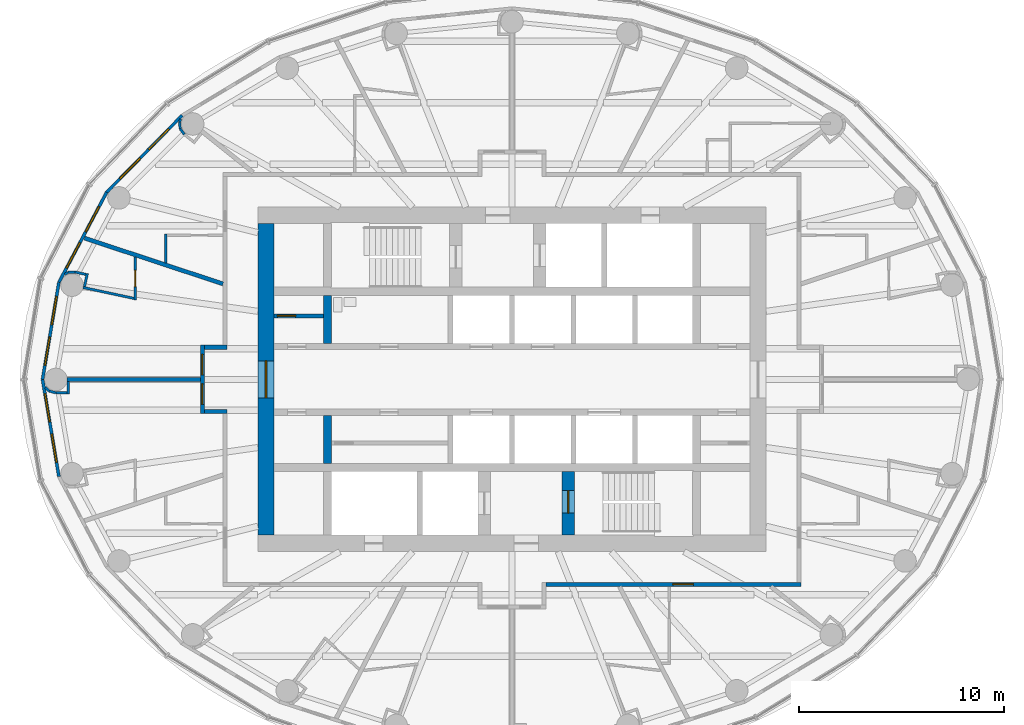
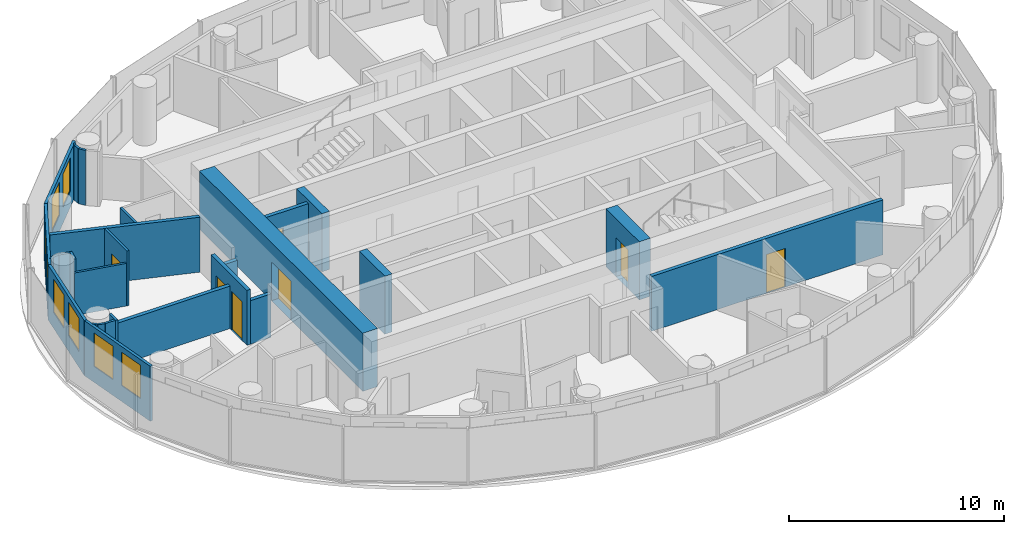
# One storey, part 8 of 16: 29 walls, 8 windows, 7 doors, 15 openings.
"""IFC4 building model written with IfcOpenShell, lengths in metres."""

import ifcopenshell
import ifcopenshell.guid

model = None  # the IFC model being written
_history = None  # IfcOwnerHistory: only IFC2X3 demands one
_inside = {}  # id of a spatial element -> (the spatial element, [elements in it])
_under = {}  # id of a project, library or spatial element -> (it, [spatial elements below it])
_declared = {}  # id of a project -> (the project, [libraries it declares])
_typed = {}  # id of a type object -> (the type object, [elements of that type])
_made_of = {}  # id of a material, layer set ... -> (it, [elements and type objects made of it])


def new_model(schema):
    """Start an empty IFC model of exactly this schema.

    Asked for "IFC4X3", IfcOpenShell would pick the latest addendum, in which some entities
    have other attributes; the version numbers below select the first issue.
    IFC2X3 requires an IfcOwnerHistory on every rooted entity: one is made here for all.
    """
    global model, _history
    if schema == "IFC4X3":
        model = ifcopenshell.file(schema_version=(4, 3, 0, 0))
    else:
        model = ifcopenshell.file(schema=schema)
    _inside.clear()
    _under.clear()
    _declared.clear()
    _typed.clear()
    _made_of.clear()
    _history = None
    if model.schema == "IFC2X3":
        org = make("IfcOrganization", Name="unknown")
        user = make(
            "IfcPersonAndOrganization",
            ThePerson=make("IfcPerson", FamilyName="unknown"),
            TheOrganization=org,
        )
        app = make(
            "IfcApplication",
            ApplicationDeveloper=org,
            Version="unknown",
            ApplicationFullName="unknown",
            ApplicationIdentifier="unknown",
        )
        _history = make(
            "IfcOwnerHistory",
            OwningUser=user,
            OwningApplication=app,
            ChangeAction="ADDED",
            CreationDate=0,
        )
    return model


def make(cls, **values):
    """One entity of the class cls with the attributes given. An attribute that is None is left unset."""
    return model.create_entity(
        cls, **{name: value for name, value in values.items() if value is not None}
    )


def rooted(cls, **values):
    """An entity with a GlobalId (a new one), such as an element, a storey or a relation."""
    return make(cls, GlobalId=ifcopenshell.guid.new(), OwnerHistory=_history, **values)


def si_unit(unit_type, name, prefix=None):
    """IfcSIUnit, for example si_unit("LENGTHUNIT", "METRE", prefix="MILLI")."""
    return make("IfcSIUnit", UnitType=unit_type, Prefix=prefix, Name=name)


def assignment(units):
    """IfcUnitAssignment: the units of a project."""
    return None if units is None else make("IfcUnitAssignment", Units=units)


def point(xyz):
    """IfcCartesianPoint."""
    return None if xyz is None else make("IfcCartesianPoint", Coordinates=xyz)


def direction(xyz):
    """IfcDirection."""
    return None if xyz is None else make("IfcDirection", DirectionRatios=xyz)


def frame(location, z_axis=None, x_axis=None):
    """IfcAxis2Placement3D, a coordinate frame: its origin and axes. An axis left out is left unset."""
    return make(
        "IfcAxis2Placement3D",
        Location=point(location),
        Axis=direction(z_axis),
        RefDirection=direction(x_axis),
    )


def frame_2d(location, x_axis=None):
    """IfcAxis2Placement2D, a coordinate frame in the plane: its origin and x axis."""
    return make(
        "IfcAxis2Placement2D", Location=point(location), RefDirection=direction(x_axis)
    )


def origin():
    """The frame at (0, 0, 0) with its axes left unset."""
    return frame((0.0, 0.0, 0.0))


def place(relative_to, where):
    """IfcLocalPlacement: puts the frame where relative to a parent placement (None: the world)."""
    return make(
        "IfcLocalPlacement", PlacementRelTo=relative_to, RelativePlacement=where
    )


def context(
    kind, dimensions, precision=None, world=None, true_north=None, identifier=None
):
    """IfcGeometricRepresentationContext, for example the 3D "Model" context."""
    return make(
        "IfcGeometricRepresentationContext",
        ContextIdentifier=identifier,
        ContextType=kind,
        CoordinateSpaceDimension=dimensions,
        Precision=precision,
        WorldCoordinateSystem=world,
        TrueNorth=true_north,
    )


def subcontext(parent, identifier, kind, view, scale=None):
    """IfcGeometricRepresentationSubContext, for example "Body" below "Model"."""
    return make(
        "IfcGeometricRepresentationSubContext",
        ContextIdentifier=identifier,
        ContextType=kind,
        ParentContext=parent,
        TargetScale=scale,
        TargetView=view,
    )


def project(units=None, contexts=None):
    """IfcProject with its units and contexts."""
    return rooted(
        "IfcProject",
        Name="project",
        RepresentationContexts=contexts,
        UnitsInContext=assignment(units),
    )


def spatial(cls, under=None, at=None, **own):
    """A site, building, storey or space (cls), placed at a placement, below another one or the project."""
    s = rooted(cls, ObjectPlacement=at, **own)
    if under is not None:
        _under.setdefault(under.id(), (under, []))[1].append(s)
    return s


def profile(cls, at=None, kind="AREA", **sizes):
    """A parametric profile (cls). Its sizes go by their IFC names, for example OverallWidth=200.0."""
    return make(cls, ProfileType=kind, Position=at, **sizes)


def rectangle(**sizes):
    """IfcRectangleProfileDef."""
    return profile("IfcRectangleProfileDef", **sizes)


def extrude(swept, where, along, depth):
    """IfcExtrudedAreaSolid: the profile swept, set in the frame where, extruded along a direction by depth."""
    return make(
        "IfcExtrudedAreaSolid",
        SweptArea=swept,
        Position=where,
        ExtrudedDirection=direction(along),
        Depth=depth,
    )


def shape(context_of_items, identifier, shape_type, items):
    """IfcShapeRepresentation: the items that make up one representation, for example the "Body"."""
    return make(
        "IfcShapeRepresentation",
        ContextOfItems=context_of_items,
        RepresentationIdentifier=identifier,
        RepresentationType=shape_type,
        Items=items,
    )


def material(Name=None, Category=None):
    """IfcMaterial."""
    return make("IfcMaterial", Name=Name, Category=Category)


def layer(
    of_material, thickness, ventilated=None, Name=None, Category=None, Priority=None
):
    """IfcMaterialLayer: one layer of a wall or slab, of a material (None: an air gap)."""
    return make(
        "IfcMaterialLayer",
        Material=of_material,
        LayerThickness=thickness,
        IsVentilated=ventilated,
        Name=Name,
        Category=Category,
        Priority=Priority,
    )


def layer_set(layers, Name=None):
    """IfcMaterialLayerSet."""
    return make("IfcMaterialLayerSet", MaterialLayers=layers, LayerSetName=Name)


def made_of(thing, what):
    """Note that an element or type object is made of a material, layer set ...; save() writes the relation."""
    if what is not None:
        _made_of.setdefault(what.id(), (what, []))[1].append(thing)
    return thing


def type_object(cls, material=None, **own):
    """A type object (cls), such as IfcWallType, which elements share."""
    return made_of(rooted(cls, **own), material)


def element(
    cls,
    number,
    at=None,
    inside=None,
    cuts=None,
    type_object=None,
    material=None,
    context=None,
    identifier="Body",
    shape_type=None,
    held_by="IfcProductDefinitionShape",
    body=None,
    shapes=None,
    **own,
):
    """One element of the class cls, such as IfcWall. Its Tag is "e" and its number.

    at: its placement. inside: the storey or other place that contains it. cuts: it is an
    opening in that element (IfcRelVoidsElement). A single representation is given by context,
    identifier, shape_type and body (its items); several are given by shapes. held_by: the class
    of the entity that holds the representations. save() writes the other relations.
    """
    e = rooted(cls, Tag="e%d" % number, ObjectPlacement=at, **own)
    if body is not None:
        shapes = [shape(context, identifier, shape_type, body)]
    if shapes is not None:
        e.Representation = make(held_by, Representations=shapes)
    if inside is not None:
        _inside.setdefault(inside.id(), (inside, []))[1].append(e)
    if cuts is not None:
        rooted(
            "IfcRelVoidsElement", RelatingBuildingElement=cuts, RelatedOpeningElement=e
        )
    if type_object is not None:
        _typed.setdefault(type_object.id(), (type_object, []))[1].append(e)
    return made_of(e, material)


def fill(opening, filler):
    """IfcRelFillsElement: the door or window that sits in an opening."""
    return rooted(
        "IfcRelFillsElement",
        RelatingOpeningElement=opening,
        RelatedBuildingElement=filler,
    )


def aggregate(whole, parts):
    """IfcRelAggregates: a whole, such as a stair, and the parts it consists of."""
    return rooted("IfcRelAggregates", RelatingObject=whole, RelatedObjects=parts)


def save(model, path):
    """Write the relations noted so far, then the file.

    IfcRelAggregates (storeys below a building ...), IfcRelContainedInSpatialStructure (elements
    in a storey), IfcRelDefinesByType, IfcRelAssociatesMaterial and IfcRelDeclares: one each for
    every whole, place, type object, material and project.
    """
    for whole, parts in _under.values():
        aggregate(whole, parts)
    for where, things in _inside.values():
        rooted(
            "IfcRelContainedInSpatialStructure",
            RelatedElements=things,
            RelatingStructure=where,
        )
    for kind, things in _typed.values():
        rooted("IfcRelDefinesByType", RelatedObjects=things, RelatingType=kind)
    for what, things in _made_of.values():
        rooted("IfcRelAssociatesMaterial", RelatedObjects=things, RelatingMaterial=what)
    for by, libraries in _declared.values():
        rooted("IfcRelDeclares", RelatingContext=by, RelatedDefinitions=libraries)
    model.write(path)


model = new_model("IFC4")

# Units and contexts
model_context = context("Model", 3, precision=1e-05, world=origin(), true_north=direction((0.0, 1.0)))
body_context = subcontext(model_context, "Body", "Model", "MODEL_VIEW")
ifc_project = project(units=[si_unit("LENGTHUNIT", "METRE"), si_unit("AREAUNIT", "SQUARE_METRE"), si_unit("VOLUMEUNIT", "CUBIC_METRE"), si_unit("PLANEANGLEUNIT", "RADIAN"), si_unit("MASSUNIT", "GRAM", prefix="KILO")], contexts=[model_context])

# Site, building, storey
site_placement = place(None, origin())
site = spatial("IfcSite", under=ifc_project, at=site_placement, CompositionType="ELEMENT")
building_placement = place(site_placement, origin())
building = spatial("IfcBuilding", under=site, at=building_placement, Name="Hankou Lantern Tower", CompositionType="ELEMENT")
storey_placement = place(building_placement, frame((0.0, 0.0, 146.699951171875)))
storey = spatial("IfcBuildingStorey", under=building, at=storey_placement, Name="L38", CompositionType="ELEMENT", Elevation=146.699951171875)

# Wall, opening, door
ifc_material_1 = material(Name="Concrete C60", Category="concrete")
ifc_layer_1 = layer(ifc_material_1, 0.800048828125)
ifc_layer_set_1 = layer_set([ifc_layer_1], Name="Concrete C60")
wall_type_1 = type_object("IfcWallType", Name="CW2 CORE WALL 800", PredefinedType="SHEAR", material=ifc_layer_set_1)
wall_1_placement = place(storey_placement, frame((-12.0, 7.60009765625, 0.0), z_axis=(0.0, 0.0, 1.0), x_axis=(0.0, -1.0, 0.0)))
wall_1 = element("IfcWall", 1, at=wall_1_placement, inside=storey, type_object=wall_type_1, Name="Core wall west L38", PredefinedType="SHEAR", context=body_context, shape_type="SweptSolid", body=[
    extrude(rectangle(XDim=15.2001953125, YDim=0.800048828125, at=frame_2d((7.60009765625, 0.0))), origin(), (0.0, 0.0, 1.0), 3.300048828125),
])
opening_1_placement = place(wall_1_placement, frame((6.699951171875, 0.0, 0.0)))
opening_1 = element("IfcOpeningElement", 2, at=opening_1_placement, cuts=wall_1, Name="Opening D6", PredefinedType="OPENING", context=body_context, shape_type="SweptSolid", body=[
    extrude(rectangle(XDim=1.800048828125, YDim=2.199951171875, at=frame_2d((0.89990234375, 1.10009765625))), frame((0.0, 0.409912109375, 0.0), z_axis=(0.0, -1.0, 0.0), x_axis=(1.0, 0.0, 0.0)), (0.0, 0.0, 1.0), 0.820068359375),
])
ifc_material_2 = material(Name="Steel door leaf", Category="steel")
door_type_1 = type_object("IfcDoorType", Name="D6 LIFT LOBBY DOOR 1800X2200", OperationType="DOUBLE_DOOR_DOUBLE_SWING", PredefinedType="DOOR", material=ifc_material_2)
door_1_placement = place(opening_1_placement, origin())
door_1 = element("IfcDoor", 3, at=door_1_placement, inside=storey, type_object=door_type_1, Name="Lift lobby west door", OperationType="DOUBLE_DOOR_DOUBLE_SWING", OverallHeight=2.199951171875, OverallWidth=1.800048828125, PredefinedType="DOOR", context=body_context, shape_type="SweptSolid", body=[
    extrude(rectangle(XDim=1.800048828125, YDim=2.199951171875, at=frame_2d((0.89990234375, 1.10009765625))), frame((0.0, 0.02490234375, 0.0), z_axis=(0.0, -1.0, 0.0), x_axis=(1.0, 0.0, 0.0)), (0.0, 0.0, 1.0), 0.050048828125),
])
fill(opening_1, door_1)

# Walls
ifc_material_3 = material(Name="Concrete C60", Category="concrete")
ifc_layer_2 = layer(ifc_material_3, 0.39990234375)
ifc_layer_set_2 = layer_set([ifc_layer_2], Name="Concrete C60")
wall_type_2 = type_object("IfcWallType", Name="CW4 CORE CROSS WALL 400", PredefinedType="SHEAR", material=ifc_layer_set_2)
for number, where, z_axis, x_axis, name in (
    (4, (-9.0, 1.75, 0.0), (0.0, 0.0, 1.0), (0.0, 1.0, 0.0), "Core strip wall L38"),
    (5, (-9.0, -4.10009765625, 0.0), (0.0, 0.0, 1.0), (0.0, 1.0, 0.0), "Core strip wall L38"),
):
    element("IfcWall", number, at=place(storey_placement, frame(where, z_axis=z_axis, x_axis=x_axis)), inside=storey, type_object=wall_type_2, Name=name, PredefinedType="SHEAR", context=body_context, shape_type="SweptSolid", body=[
        extrude(rectangle(XDim=2.35009765625, YDim=0.39990234375, at=frame_2d((1.175048828125, 0.0))), origin(), (0.0, 0.0, 1.0), 3.300048828125),
    ])

# Wall, opening, door
ifc_material_4 = material(Name="Concrete C60", Category="concrete")
ifc_layer_3 = layer(ifc_material_4, 0.60009765625)
ifc_layer_set_3 = layer_set([ifc_layer_3], Name="Concrete C60")
wall_type_3 = type_object("IfcWallType", Name="CW6 STAIR AND SHAFT WALL 600", PredefinedType="SHEAR", material=ifc_layer_set_3)
wall_2_placement = place(storey_placement, frame((2.75, -7.60009765625, 0.0), z_axis=(0.0, 0.0, 1.0), x_axis=(0.0, 1.0, 0.0)))
wall_2 = element("IfcWall", 6, at=wall_2_placement, inside=storey, type_object=wall_type_3, Name="Stair wall L38", PredefinedType="SHEAR", context=body_context, shape_type="SweptSolid", body=[
    extrude(rectangle(XDim=3.10009765625, YDim=0.60009765625, at=frame_2d((1.550048828125, 0.0))), origin(), (0.0, 0.0, 1.0), 3.300048828125),
])
opening_2_placement = place(wall_2_placement, frame((1.074951171875, 0.0, 0.0)))
opening_2 = element("IfcOpeningElement", 7, at=opening_2_placement, cuts=wall_2, Name="Opening D4", PredefinedType="OPENING", context=body_context, shape_type="SweptSolid", body=[
    extrude(rectangle(XDim=1.10009765625, YDim=2.199951171875, at=frame_2d((0.550048828125, 1.10009765625))), frame((0.0, 0.31005859375, 0.0), z_axis=(0.0, -1.0, 0.0), x_axis=(1.0, 0.0, 0.0)), (0.0, 0.0, 1.0), 0.6201171875),
])
ifc_material_5 = material(Name="Steel door leaf", Category="steel")
door_type_2 = type_object("IfcDoorType", Name="D4 STAIR DOOR 1100X2200", OperationType="SINGLE_SWING_LEFT", PredefinedType="DOOR", material=ifc_material_5)
door_2_placement = place(opening_2_placement, origin())
door_2 = element("IfcDoor", 8, at=door_2_placement, inside=storey, type_object=door_type_2, Name="Stair B door", OperationType="SINGLE_SWING_RIGHT", OverallHeight=2.199951171875, OverallWidth=1.10009765625, PredefinedType="DOOR", context=body_context, shape_type="SweptSolid", body=[
    extrude(rectangle(XDim=1.10009765625, YDim=2.199951171875, at=frame_2d((0.550048828125, 1.10009765625))), frame((0.0, 0.02490234375, 0.0), z_axis=(0.0, -1.0, 0.0), x_axis=(1.0, 0.0, 0.0)), (0.0, 0.0, 1.0), 0.050048828125),
])
fill(opening_2, door_2)

# Wall, openings, windows
ifc_material_6 = material(Name="Aluminium spandrel panel on steel studs", Category="steel")
ifc_layer_4 = layer(ifc_material_6, 0.14990234375)
ifc_layer_set_4 = layer_set([ifc_layer_4], Name="Aluminium spandrel panel on steel studs")
wall_type_4 = type_object("IfcWallType", Name="EW1 INNER SKIN WALL 150", PredefinedType="ELEMENTEDWALL", material=ifc_layer_set_4)
wall_3_placement = place(storey_placement, frame((-16.0947265625, 12.875732421875, 0.0), z_axis=(0.0, 0.0, 1.0), x_axis=(-0.700727467776, -0.71342905457, 0.0)))
wall_3 = element("IfcWall", 9, at=wall_3_placement, inside=storey, type_object=wall_type_4, Name="Inner skin R10-R11 L38", PredefinedType="ELEMENTEDWALL", context=body_context, shape_type="SweptSolid", body=[
    extrude(rectangle(XDim=5.247314453125, YDim=0.14990234375, at=frame_2d((2.62353515625, 0.0))), origin(), (0.0, 0.0, 1.0), 3.1201171875),
])
opening_3_placement = place(wall_3_placement, frame((0.923583984375, 0.0, 0.89990234375)))
opening_3 = element("IfcOpeningElement", 10, at=opening_3_placement, cuts=wall_3, Name="Opening W3", PredefinedType="OPENING", context=body_context, shape_type="SweptSolid", body=[
    extrude(rectangle(XDim=1.39990234375, YDim=1.89990234375, at=frame_2d((0.699951171875, 0.949951171875))), frame((0.0, 0.0849609375, 0.0), z_axis=(0.0, -1.0, 0.0), x_axis=(1.0, 0.0, 0.0)), (0.0, 0.0, 1.0), 0.169921875),
])
opening_4_placement = place(wall_3_placement, frame((2.923583984375, 0.0, 0.89990234375)))
opening_4 = element("IfcOpeningElement", 11, at=opening_4_placement, cuts=wall_3, Name="Opening W3", PredefinedType="OPENING", context=body_context, shape_type="SweptSolid", body=[
    extrude(rectangle(XDim=1.39990234375, YDim=1.89990234375, at=frame_2d((0.699951171875, 0.949951171875))), frame((0.0, 0.0849609375, 0.0), z_axis=(0.0, -1.0, 0.0), x_axis=(1.0, 0.0, 0.0)), (0.0, 0.0, 1.0), 0.169921875),
])
ifc_material_7 = material(Name="Aluminium framed double glazed window", Category="aluminium")
window_type = type_object("IfcWindowType", Name="W3 GUEST ROOM WINDOW 1400X1900", PartitioningType="DOUBLE_PANEL_VERTICAL", PredefinedType="WINDOW", material=ifc_material_7)
window_1_placement = place(opening_3_placement, origin())
window_1 = element("IfcWindow", 12, at=window_1_placement, inside=storey, type_object=window_type, Name="Window R10.1 L38", OverallHeight=1.89990234375, OverallWidth=1.39990234375, PartitioningType="SINGLE_PANEL", PredefinedType="WINDOW", context=body_context, shape_type="SweptSolid", body=[
    extrude(rectangle(XDim=1.39990234375, YDim=1.89990234375, at=frame_2d((0.699951171875, 0.949951171875))), frame((0.0, 0.030029296875, 0.0), z_axis=(0.0, -1.0, 0.0), x_axis=(1.0, 0.0, 0.0)), (0.0, 0.0, 1.0), 0.06005859375),
])
fill(opening_3, window_1)
window_2_placement = place(opening_4_placement, origin())
window_2 = element("IfcWindow", 13, at=window_2_placement, inside=storey, type_object=window_type, Name="Window R10.2 L38", OverallHeight=1.89990234375, OverallWidth=1.39990234375, PartitioningType="SINGLE_PANEL", PredefinedType="WINDOW", context=body_context, shape_type="SweptSolid", body=[
    extrude(rectangle(XDim=1.39990234375, YDim=1.89990234375, at=frame_2d((0.699951171875, 0.949951171875))), frame((0.0, 0.030029296875, 0.0), z_axis=(0.0, -1.0, 0.0), x_axis=(1.0, 0.0, 0.0)), (0.0, 0.0, 1.0), 0.06005859375),
])
fill(opening_4, window_2)

wall_4_placement = place(storey_placement, frame((-19.771728515625, 9.132080078125, 0.0), z_axis=(0.0, 0.0, 1.0), x_axis=(-0.468428906714, -0.883501193748, 0.0)))
wall_4 = element("IfcWall", 14, at=wall_4_placement, inside=storey, type_object=wall_type_4, Name="Inner skin R11-R12 L38", PredefinedType="ELEMENTEDWALL", context=body_context, shape_type="SweptSolid", body=[
    extrude(rectangle(XDim=4.9736328125, YDim=0.14990234375, at=frame_2d((2.48681640625, 0.0))), origin(), (0.0, 0.0, 1.0), 3.1201171875),
])
opening_5_placement = place(wall_4_placement, frame((0.786865234375, 0.0, 0.89990234375)))
opening_5 = element("IfcOpeningElement", 15, at=opening_5_placement, cuts=wall_4, Name="Opening W3", PredefinedType="OPENING", context=body_context, shape_type="SweptSolid", body=[
    extrude(rectangle(XDim=1.39990234375, YDim=1.89990234375, at=frame_2d((0.699951171875, 0.949951171875))), frame((0.0, 0.0849609375, 0.0), z_axis=(0.0, -1.0, 0.0), x_axis=(1.0, 0.0, 0.0)), (0.0, 0.0, 1.0), 0.169921875),
])
opening_6_placement = place(wall_4_placement, frame((2.786865234375, 0.0, 0.89990234375)))
opening_6 = element("IfcOpeningElement", 16, at=opening_6_placement, cuts=wall_4, Name="Opening W3", PredefinedType="OPENING", context=body_context, shape_type="SweptSolid", body=[
    extrude(rectangle(XDim=1.39990234375, YDim=1.89990234375, at=frame_2d((0.699951171875, 0.949951171875))), frame((0.0, 0.0849609375, 0.0), z_axis=(0.0, -1.0, 0.0), x_axis=(1.0, 0.0, 0.0)), (0.0, 0.0, 1.0), 0.169921875),
])
window_3_placement = place(opening_5_placement, origin())
window_3 = element("IfcWindow", 17, at=window_3_placement, inside=storey, type_object=window_type, Name="Window R11.1 L38", OverallHeight=1.89990234375, OverallWidth=1.39990234375, PartitioningType="SINGLE_PANEL", PredefinedType="WINDOW", context=body_context, shape_type="SweptSolid", body=[
    extrude(rectangle(XDim=1.39990234375, YDim=1.89990234375, at=frame_2d((0.699951171875, 0.949951171875))), frame((0.0, 0.030029296875, 0.0), z_axis=(0.0, -1.0, 0.0), x_axis=(1.0, 0.0, 0.0)), (0.0, 0.0, 1.0), 0.06005859375),
])
fill(opening_5, window_3)
window_4_placement = place(opening_6_placement, origin())
window_4 = element("IfcWindow", 18, at=window_4_placement, inside=storey, type_object=window_type, Name="Window R11.2 L38", OverallHeight=1.89990234375, OverallWidth=1.39990234375, PartitioningType="SINGLE_PANEL", PredefinedType="WINDOW", context=body_context, shape_type="SweptSolid", body=[
    extrude(rectangle(XDim=1.39990234375, YDim=1.89990234375, at=frame_2d((0.699951171875, 0.949951171875))), frame((0.0, 0.030029296875, 0.0), z_axis=(0.0, -1.0, 0.0), x_axis=(1.0, 0.0, 0.0)), (0.0, 0.0, 1.0), 0.06005859375),
])
fill(opening_6, window_4)

wall_5_placement = place(storey_placement, frame((-22.1015625, 4.73779296875, 0.0), z_axis=(0.0, 0.0, 1.0), x_axis=(-0.166162111254, -0.986098449843, 0.0)))
wall_5 = element("IfcWall", 19, at=wall_5_placement, inside=storey, type_object=wall_type_4, Name="Inner skin R12-R13 L38", PredefinedType="ELEMENTEDWALL", context=body_context, shape_type="SweptSolid", body=[
    extrude(rectangle(XDim=4.8046875, YDim=0.14990234375, at=frame_2d((2.40234375, 0.0))), origin(), (0.0, 0.0, 1.0), 3.1201171875),
])
opening_7_placement = place(wall_5_placement, frame((0.7021484375, 0.0, 0.89990234375)))
opening_7 = element("IfcOpeningElement", 20, at=opening_7_placement, cuts=wall_5, Name="Opening W3", PredefinedType="OPENING", context=body_context, shape_type="SweptSolid", body=[
    extrude(rectangle(XDim=1.39990234375, YDim=1.89990234375, at=frame_2d((0.699951171875, 0.949951171875))), frame((0.0, 0.0849609375, 0.0), z_axis=(0.0, -1.0, 0.0), x_axis=(1.0, 0.0, 0.0)), (0.0, 0.0, 1.0), 0.169921875),
])
opening_8_placement = place(wall_5_placement, frame((2.7021484375, 0.0, 0.89990234375)))
opening_8 = element("IfcOpeningElement", 21, at=opening_8_placement, cuts=wall_5, Name="Opening W3", PredefinedType="OPENING", context=body_context, shape_type="SweptSolid", body=[
    extrude(rectangle(XDim=1.39990234375, YDim=1.89990234375, at=frame_2d((0.699951171875, 0.949951171875))), frame((0.0, 0.0849609375, 0.0), z_axis=(0.0, -1.0, 0.0), x_axis=(1.0, 0.0, 0.0)), (0.0, 0.0, 1.0), 0.169921875),
])
window_5_placement = place(opening_7_placement, origin())
window_5 = element("IfcWindow", 22, at=window_5_placement, inside=storey, type_object=window_type, Name="Window R12.1 L38", OverallHeight=1.89990234375, OverallWidth=1.39990234375, PartitioningType="SINGLE_PANEL", PredefinedType="WINDOW", context=body_context, shape_type="SweptSolid", body=[
    extrude(rectangle(XDim=1.39990234375, YDim=1.89990234375, at=frame_2d((0.699951171875, 0.949951171875))), frame((0.0, 0.030029296875, 0.0), z_axis=(0.0, -1.0, 0.0), x_axis=(1.0, 0.0, 0.0)), (0.0, 0.0, 1.0), 0.06005859375),
])
fill(opening_7, window_5)
window_6_placement = place(opening_8_placement, origin())
window_6 = element("IfcWindow", 23, at=window_6_placement, inside=storey, type_object=window_type, Name="Window R12.2 L38", OverallHeight=1.89990234375, OverallWidth=1.39990234375, PartitioningType="SINGLE_PANEL", PredefinedType="WINDOW", context=body_context, shape_type="SweptSolid", body=[
    extrude(rectangle(XDim=1.39990234375, YDim=1.89990234375, at=frame_2d((0.699951171875, 0.949951171875))), frame((0.0, 0.030029296875, 0.0), z_axis=(0.0, -1.0, 0.0), x_axis=(1.0, 0.0, 0.0)), (0.0, 0.0, 1.0), 0.06005859375),
])
fill(opening_8, window_6)

wall_6_placement = place(storey_placement, frame((-22.89990234375, 0.0, 0.0), z_axis=(0.0, 0.0, 1.0), x_axis=(0.166162111254, -0.986098449843, 0.0)))
wall_6 = element("IfcWall", 24, at=wall_6_placement, inside=storey, type_object=wall_type_4, Name="Inner skin R13-R14 L38", PredefinedType="ELEMENTEDWALL", context=body_context, shape_type="SweptSolid", body=[
    extrude(rectangle(XDim=4.8046875, YDim=0.14990234375, at=frame_2d((2.40234375, 0.0))), origin(), (0.0, 0.0, 1.0), 3.1201171875),
])
opening_9_placement = place(wall_6_placement, frame((0.7021484375, 0.0, 0.89990234375)))
opening_9 = element("IfcOpeningElement", 25, at=opening_9_placement, cuts=wall_6, Name="Opening W3", PredefinedType="OPENING", context=body_context, shape_type="SweptSolid", body=[
    extrude(rectangle(XDim=1.39990234375, YDim=1.89990234375, at=frame_2d((0.699951171875, 0.949951171875))), frame((0.0, 0.0849609375, 0.0), z_axis=(0.0, -1.0, 0.0), x_axis=(1.0, 0.0, 0.0)), (0.0, 0.0, 1.0), 0.169921875),
])
opening_10_placement = place(wall_6_placement, frame((2.7021484375, 0.0, 0.89990234375)))
opening_10 = element("IfcOpeningElement", 26, at=opening_10_placement, cuts=wall_6, Name="Opening W3", PredefinedType="OPENING", context=body_context, shape_type="SweptSolid", body=[
    extrude(rectangle(XDim=1.39990234375, YDim=1.89990234375, at=frame_2d((0.699951171875, 0.949951171875))), frame((0.0, 0.0849609375, 0.0), z_axis=(0.0, -1.0, 0.0), x_axis=(1.0, 0.0, 0.0)), (0.0, 0.0, 1.0), 0.169921875),
])
window_7_placement = place(opening_9_placement, origin())
window_7 = element("IfcWindow", 27, at=window_7_placement, inside=storey, type_object=window_type, Name="Window R13.1 L38", OverallHeight=1.89990234375, OverallWidth=1.39990234375, PartitioningType="SINGLE_PANEL", PredefinedType="WINDOW", context=body_context, shape_type="SweptSolid", body=[
    extrude(rectangle(XDim=1.39990234375, YDim=1.89990234375, at=frame_2d((0.699951171875, 0.949951171875))), frame((0.0, 0.030029296875, 0.0), z_axis=(0.0, -1.0, 0.0), x_axis=(1.0, 0.0, 0.0)), (0.0, 0.0, 1.0), 0.06005859375),
])
fill(opening_9, window_7)
window_8_placement = place(opening_10_placement, origin())
window_8 = element("IfcWindow", 28, at=window_8_placement, inside=storey, type_object=window_type, Name="Window R13.2 L38", OverallHeight=1.89990234375, OverallWidth=1.39990234375, PartitioningType="SINGLE_PANEL", PredefinedType="WINDOW", context=body_context, shape_type="SweptSolid", body=[
    extrude(rectangle(XDim=1.39990234375, YDim=1.89990234375, at=frame_2d((0.699951171875, 0.949951171875))), frame((0.0, 0.030029296875, 0.0), z_axis=(0.0, -1.0, 0.0), x_axis=(1.0, 0.0, 0.0)), (0.0, 0.0, 1.0), 0.06005859375),
])
fill(opening_10, window_8)

# Walls
ifc_material_8 = material(Name="Masonry lightweight concrete block", Category="masonry")
ifc_layer_5 = layer(ifc_material_8, 0.199951171875)
ifc_layer_set_5 = layer_set([ifc_layer_5], Name="Masonry lightweight concrete block")
wall_type_5 = type_object("IfcWallType", Name="IW1 GUEST ROOM PARTY WALL 200", PredefinedType="PARTITIONING", material=ifc_layer_set_5)
wall_7_placement = place(storey_placement, frame((-14.10009765625, 4.661376953125, 0.0), z_axis=(0.0, 0.0, 1.0), x_axis=(-0.949453216399, 0.313908569285, 0.0)))
element("IfcWall", 29, at=wall_7_placement, inside=storey, type_object=wall_type_5, Name="Party wall R11-R12", PredefinedType="PARTITIONING", context=body_context, shape_type="SweptSolid", body=[
    extrude(rectangle(XDim=7.108642578125, YDim=0.199951171875, at=frame_2d((3.55419921875, 0.0))), origin(), (0.0, 0.0, 1.0), 3.1201171875),
])
wall_8_placement = place(storey_placement, frame((-15.199951171875, 0.0, 0.0), z_axis=(0.0, 0.0, 1.0), x_axis=(-1.0, 0.0, 0.0)))
element("IfcWall", 30, at=wall_8_placement, inside=storey, type_object=wall_type_5, Name="Party wall R13", PredefinedType="PARTITIONING", context=body_context, shape_type="SweptSolid", body=[
    extrude(rectangle(XDim=6.5, YDim=0.199951171875, at=frame_2d((3.25, 0.0))), origin(), (0.0, 0.0, 1.0), 2.420166015625),
])

# Wall, openings, doors
ifc_material_9 = material(Name="Masonry lightweight concrete block", Category="masonry")
ifc_layer_6 = layer(ifc_material_9, 0.199951171875)
ifc_layer_set_6 = layer_set([ifc_layer_6], Name="Masonry lightweight concrete block")
wall_type_6 = type_object("IfcWallType", Name="IW2 CORRIDOR WALL 200", PredefinedType="PARTITIONING", material=ifc_layer_set_6)
wall_9_placement = place(storey_placement, frame((-15.10009765625, 1.669921875, 0.0), z_axis=(0.0, 0.0, 1.0), x_axis=(0.0, -1.0, 0.0)))
wall_9 = element("IfcWall", 31, at=wall_9_placement, inside=storey, type_object=wall_type_6, Name="Corridor alcove wall 3807-3808 back", PredefinedType="PARTITIONING", context=body_context, shape_type="SweptSolid", body=[
    extrude(rectangle(XDim=3.33984375, YDim=0.199951171875, at=frame_2d((1.669921875, 0.0))), origin(), (0.0, 0.0, 1.0), 3.1201171875),
])
opening_11_placement = place(wall_9_placement, frame((0.449951171875, 0.0, 0.0)))
opening_11 = element("IfcOpeningElement", 32, at=opening_11_placement, cuts=wall_9, Name="Opening D1", PredefinedType="OPENING", context=body_context, shape_type="SweptSolid", body=[
    extrude(rectangle(XDim=1.0, YDim=2.199951171875, at=frame_2d((0.5, 1.10009765625))), frame((0.0, 0.10986328125, 0.0), z_axis=(0.0, -1.0, 0.0), x_axis=(1.0, 0.0, 0.0)), (0.0, 0.0, 1.0), 0.219970703125),
])
opening_12_placement = place(wall_9_placement, frame((1.889892578125, 0.0, 0.0)))
opening_12 = element("IfcOpeningElement", 33, at=opening_12_placement, cuts=wall_9, Name="Opening D1", PredefinedType="OPENING", context=body_context, shape_type="SweptSolid", body=[
    extrude(rectangle(XDim=1.0, YDim=2.199951171875, at=frame_2d((0.5, 1.10009765625))), frame((0.0, 0.10986328125, 0.0), z_axis=(0.0, -1.0, 0.0), x_axis=(1.0, 0.0, 0.0)), (0.0, 0.0, 1.0), 0.219970703125),
])
ifc_material_10 = material(Name="Steel door leaf", Category="steel")
door_type_3 = type_object("IfcDoorType", Name="D1 GUEST ROOM DOOR 1000X2200", OperationType="SINGLE_SWING_LEFT", PredefinedType="DOOR", material=ifc_material_10)
door_3_placement = place(opening_11_placement, origin())
door_3 = element("IfcDoor", 34, at=door_3_placement, inside=storey, type_object=door_type_3, Name="Guest room door 3807", OperationType="SINGLE_SWING_LEFT", OverallHeight=2.199951171875, OverallWidth=1.0, PredefinedType="DOOR", context=body_context, shape_type="SweptSolid", body=[
    extrude(rectangle(XDim=1.0, YDim=2.199951171875, at=frame_2d((0.5, 1.10009765625))), frame((0.0, 0.02490234375, 0.0), z_axis=(0.0, -1.0, 0.0), x_axis=(1.0, 0.0, 0.0)), (0.0, 0.0, 1.0), 0.050048828125),
])
fill(opening_11, door_3)
door_4_placement = place(opening_12_placement, origin())
door_4 = element("IfcDoor", 35, at=door_4_placement, inside=storey, type_object=door_type_3, Name="Guest room door 3808", OperationType="SINGLE_SWING_RIGHT", OverallHeight=2.199951171875, OverallWidth=1.0, PredefinedType="DOOR", context=body_context, shape_type="SweptSolid", body=[
    extrude(rectangle(XDim=1.0, YDim=2.199951171875, at=frame_2d((0.5, 1.10009765625))), frame((0.0, 0.02490234375, 0.0), z_axis=(0.0, -1.0, 0.0), x_axis=(1.0, 0.0, 0.0)), (0.0, 0.0, 1.0), 0.050048828125),
])
fill(opening_12, door_4)

# Walls
for number, where, z_axis, x_axis, name in (
    (36, (-13.89990234375, 1.570068359375, 0.0), (0.0, 0.0, 1.0), (-1.0, 0.0, 0.0), "Corridor alcove wall 3807-3808 left"),
    (37, (-13.89990234375, -1.570068359375, 0.0), (0.0, 0.0, 1.0), (-1.0, 0.0, 0.0), "Corridor alcove wall 3807-3808 right"),
):
    element("IfcWall", number, at=place(storey_placement, frame(where, z_axis=z_axis, x_axis=x_axis)), inside=storey, type_object=wall_type_6, Name=name, PredefinedType="PARTITIONING", context=body_context, shape_type="SweptSolid", body=[
        extrude(rectangle(XDim=1.10009765625, YDim=0.199951171875, at=frame_2d((0.550048828125, 0.0))), origin(), (0.0, 0.0, 1.0), 2.469970703125),
    ])

# Wall, opening, door
wall_10_placement = place(storey_placement, frame((14.10009765625, -10.0, 0.0), z_axis=(0.0, 0.0, 1.0), x_axis=(-1.0, 0.0, 0.0)))
wall_10 = element("IfcWall", 38, at=wall_10_placement, inside=storey, type_object=wall_type_6, Name="Corridor wall south", PredefinedType="PARTITIONING", context=body_context, shape_type="SweptSolid", body=[
    extrude(rectangle(XDim=12.43017578125, YDim=0.199951171875, at=frame_2d((6.215087890625, 0.0))), origin(), (0.0, 0.0, 1.0), 3.1201171875),
])
opening_13_placement = place(wall_10_placement, frame((5.25, 0.0, 0.0)))
opening_13 = element("IfcOpeningElement", 39, at=opening_13_placement, cuts=wall_10, Name="Opening D1", PredefinedType="OPENING", context=body_context, shape_type="SweptSolid", body=[
    extrude(rectangle(XDim=1.0, YDim=2.199951171875, at=frame_2d((0.5, 1.10009765625))), frame((0.0, 0.10986328125, 0.0), z_axis=(0.0, -1.0, 0.0), x_axis=(1.0, 0.0, 0.0)), (0.0, 0.0, 1.0), 0.219970703125),
])
door_5_placement = place(opening_13_placement, origin())
door_5 = element("IfcDoor", 40, at=door_5_placement, inside=storey, type_object=door_type_3, Name="Guest room door 3813", OperationType="SINGLE_SWING_RIGHT", OverallHeight=2.199951171875, OverallWidth=1.0, PredefinedType="DOOR", context=body_context, shape_type="SweptSolid", body=[
    extrude(rectangle(XDim=1.0, YDim=2.199951171875, at=frame_2d((0.5, 1.10009765625))), frame((0.0, 0.02490234375, 0.0), z_axis=(0.0, -1.0, 0.0), x_axis=(1.0, 0.0, 0.0)), (0.0, 0.0, 1.0), 0.050048828125),
])
fill(opening_13, door_5)

# Wall
ifc_material_11 = material(Name="Masonry lightweight concrete block", Category="masonry")
ifc_layer_7 = layer(ifc_material_11, 0.1201171875)
ifc_layer_set_7 = layer_set([ifc_layer_7], Name="Masonry lightweight concrete block")
wall_type_7 = type_object("IfcWallType", Name="IW3 BATHROOM WALL 120", PredefinedType="PARTITIONING", material=ifc_layer_set_7)
wall_11_placement = place(storey_placement, frame((-16.89990234375, 5.687255859375, 0.0), z_axis=(0.0, 0.0, 1.0), x_axis=(0.0, 1.0, 0.0)))
element("IfcWall", 41, at=wall_11_placement, inside=storey, type_object=wall_type_7, Name="Box wall 3806 1", PredefinedType="PARTITIONING", context=body_context, shape_type="SweptSolid", body=[
    extrude(rectangle(XDim=1.414306640625, YDim=0.1201171875, at=frame_2d((0.70703125, 0.0))), origin(), (0.0, 0.0, 1.0), 3.1201171875),
])

# Wall, opening, door
wall_12_placement = place(storey_placement, frame((-18.380859375, 5.971435546875, 0.0), z_axis=(0.0, 0.0, 1.0), x_axis=(-0.000934142516, -0.999999563689, 0.0)))
wall_12 = element("IfcWall", 42, at=wall_12_placement, inside=storey, type_object=wall_type_7, Name="Box wall 3807 1", PredefinedType="PARTITIONING", context=body_context, shape_type="SweptSolid", body=[
    extrude(rectangle(XDim=2.0908203125, YDim=0.1201171875, at=frame_2d((1.04541015625, 0.0))), origin(), (0.0, 0.0, 1.0), 3.1201171875),
])
opening_14_placement = place(wall_12_placement, frame((0.6455078125, 0.0, 0.0)))
opening_14 = element("IfcOpeningElement", 43, at=opening_14_placement, cuts=wall_12, Name="Opening D3", PredefinedType="OPENING", context=body_context, shape_type="SweptSolid", body=[
    extrude(rectangle(XDim=0.800048828125, YDim=2.10009765625, at=frame_2d((0.39990234375, 1.050048828125))), frame((0.0, 0.070068359375, 0.0), z_axis=(0.0, -1.0, 0.0), x_axis=(1.0, 0.0, 0.0)), (0.0, 0.0, 1.0), 0.14013671875),
])
ifc_material_12 = material(Name="Timber door leaf", Category="wood")
door_type_4 = type_object("IfcDoorType", Name="D3 BATHROOM DOOR 800X2100", OperationType="SINGLE_SWING_LEFT", PredefinedType="DOOR", material=ifc_material_12)
door_6_placement = place(opening_14_placement, origin())
door_6 = element("IfcDoor", 44, at=door_6_placement, inside=storey, type_object=door_type_4, Name="En-suite bathroom 3807 door", OperationType="SINGLE_SWING_LEFT", OverallHeight=2.10009765625, OverallWidth=0.800048828125, PredefinedType="DOOR", context=body_context, shape_type="SweptSolid", body=[
    extrude(rectangle(XDim=0.800048828125, YDim=2.10009765625, at=frame_2d((0.39990234375, 1.050048828125))), frame((0.0, 0.02490234375, 0.0), z_axis=(0.0, -1.0, 0.0), x_axis=(1.0, 0.0, 0.0)), (0.0, 0.0, 1.0), 0.050048828125),
])
fill(opening_14, door_6)

# Walls
wall_13_placement = place(storey_placement, frame((-18.44140625, 3.953125, 0.0), z_axis=(0.0, 0.0, 1.0), x_axis=(-0.977801007461, 0.209535652833, 0.0)))
element("IfcWall", 45, at=wall_13_placement, inside=storey, type_object=wall_type_7, Name="Box wall 3807 2", PredefinedType="PARTITIONING", context=body_context, shape_type="SweptSolid", body=[
    extrude(rectangle(XDim=2.5400390625, YDim=0.1201171875, at=frame_2d((1.27001953125, 0.0))), origin(), (0.0, 0.0, 1.0), 2.420166015625),
])
wall_14_placement = place(storey_placement, frame((-20.853759765625, 4.531494140625, 0.0), z_axis=(0.0, 0.0, 1.0), x_axis=(0.209631346779, 0.977780496046, 0.0)))
element("IfcWall", 46, at=wall_14_placement, inside=storey, type_object=wall_type_7, Name="Column casing 3807 return", PredefinedType="PARTITIONING", context=body_context, shape_type="SweptSolid", body=[
    extrude(rectangle(XDim=0.652099609375, YDim=0.1201171875, at=frame_2d((0.326171875, 0.0))), origin(), (0.0, 0.0, 1.0), 3.1201171875),
])
wall_15_placement = place(storey_placement, frame((-20.788330078125, 5.123291015625, 0.0), z_axis=(0.0, 0.0, 1.0), x_axis=(-0.977789415726, 0.209589738521, 0.0)))
element("IfcWall", 47, at=wall_15_placement, inside=storey, type_object=wall_type_7, Name="Column casing 3807", PredefinedType="PARTITIONING", context=body_context, shape_type="SweptSolid", body=[
    extrude(rectangle(XDim=0.5498046875, YDim=0.1201171875, at=frame_2d((0.27490234375, 0.0))), origin(), (0.0, 0.0, 1.0), 3.1201171875),
])
wall_16_placement = place(storey_placement, frame((-21.325927734375, 5.238525390625, 0.0), z_axis=(0.0, 0.0, 1.0), x_axis=(-0.998719689441, -0.050586380797, 0.0)))
element("IfcWall", 48, at=wall_16_placement, inside=storey, type_object=wall_type_7, Name="Column casing 3807", PredefinedType="PARTITIONING", context=body_context, shape_type="SweptSolid", body=[
    extrude(rectangle(XDim=0.337890625, YDim=0.1201171875, at=frame_2d((0.1689453125, 0.0))), origin(), (0.0, 0.0, 1.0), 3.1201171875),
])
wall_17_placement = place(storey_placement, frame((-21.663330078125, 5.221435546875, 0.0), z_axis=(0.0, 0.0, 1.0), x_axis=(-0.839279022252, -0.543700949795, 0.0)))
element("IfcWall", 49, at=wall_17_placement, inside=storey, type_object=wall_type_7, Name="Column casing 3807", PredefinedType="PARTITIONING", context=body_context, shape_type="SweptSolid", body=[
    extrude(rectangle(XDim=0.18017578125, YDim=0.1201171875, at=frame_2d((0.090087890625, 0.0))), origin(), (0.0, 0.0, 1.0), 3.1201171875),
])
ifc_material_13 = material(Name="Masonry lightweight concrete block", Category="masonry")
ifc_layer_8 = layer(ifc_material_13, 0.1201171875)
ifc_layer_set_8 = layer_set([ifc_layer_8], Name="Masonry lightweight concrete block")
wall_type_8 = type_object("IfcWallType", Name="IW4 PARTITION 120", PredefinedType="PARTITIONING", material=ifc_layer_set_8)
wall_18_placement = place(storey_placement, frame((-15.983642578125, 11.95166015625, 0.0), z_axis=(0.0, 0.0, 1.0), x_axis=(-0.592335221171, 0.805691619517, 0.0)))
element("IfcWall", 50, at=wall_18_placement, inside=storey, type_object=wall_type_8, Name="Column casing R10", PredefinedType="PARTITIONING", context=body_context, shape_type="SweptSolid", body=[
    extrude(rectangle(XDim=0.337646484375, YDim=0.1201171875, at=frame_2d((0.1689453125, 0.0))), origin(), (0.0, 0.0, 1.0), 3.1201171875),
])
wall_19_placement = place(storey_placement, frame((-16.18359375, 12.2236328125, 0.0), z_axis=(0.0, 0.0, 1.0), x_axis=(-0.110669692975, 0.993857242795, 0.0)))
element("IfcWall", 51, at=wall_19_placement, inside=storey, type_object=wall_type_8, Name="Column casing R10", PredefinedType="PARTITIONING", context=body_context, shape_type="SweptSolid", body=[
    extrude(rectangle(XDim=0.33740234375, YDim=0.1201171875, at=frame_2d((0.168701171875, 0.0))), origin(), (0.0, 0.0, 1.0), 3.1201171875),
])
wall_20_placement = place(storey_placement, frame((-16.220947265625, 12.55908203125, 0.0), z_axis=(0.0, 0.0, 1.0), x_axis=(0.401064416249, 0.916049853457, 0.0)))
element("IfcWall", 52, at=wall_20_placement, inside=storey, type_object=wall_type_8, Name="Column casing R10", PredefinedType="PARTITIONING", context=body_context, shape_type="SweptSolid", body=[
    extrude(rectangle(XDim=0.156494140625, YDim=0.1201171875, at=frame_2d((0.078125, 0.0))), origin(), (0.0, 0.0, 1.0), 3.1201171875),
])
wall_21_placement = place(storey_placement, frame((-21.639892578125, -0.10009765625, 0.0), z_axis=(0.0, 0.0, 1.0), x_axis=(0.0, -1.0, 0.0)))
element("IfcWall", 53, at=wall_21_placement, inside=storey, type_object=wall_type_8, Name="Column casing R13 return", PredefinedType="PARTITIONING", context=body_context, shape_type="SweptSolid", body=[
    extrude(rectangle(XDim=0.612060546875, YDim=0.1201171875, at=frame_2d((0.30615234375, 0.0))), origin(), (0.0, 0.0, 1.0), 3.1201171875),
])
wall_22_placement = place(storey_placement, frame((-21.699951171875, -0.65234375, 0.0), z_axis=(0.0, 0.0, 1.0), x_axis=(-1.0, 0.0, 0.0)))
element("IfcWall", 54, at=wall_22_placement, inside=storey, type_object=wall_type_8, Name="Column casing R13", PredefinedType="PARTITIONING", context=body_context, shape_type="SweptSolid", body=[
    extrude(rectangle(XDim=0.550048828125, YDim=0.1201171875, at=frame_2d((0.27490234375, 0.0))), origin(), (0.0, 0.0, 1.0), 3.1201171875),
])
wall_23_placement = place(storey_placement, frame((-22.25, -0.65234375, 0.0), z_axis=(0.0, 0.0, 1.0), x_axis=(-0.965922233104, 0.258832454679, 0.0)))
element("IfcWall", 55, at=wall_23_placement, inside=storey, type_object=wall_type_8, Name="Column casing R13", PredefinedType="PARTITIONING", context=body_context, shape_type="SweptSolid", body=[
    extrude(rectangle(XDim=0.337646484375, YDim=0.1201171875, at=frame_2d((0.1689453125, 0.0))), origin(), (0.0, 0.0, 1.0), 3.1201171875),
])
wall_24_placement = place(storey_placement, frame((-22.576171875, -0.56494140625, 0.0), z_axis=(0.0, 0.0, 1.0), x_axis=(-0.706639272724, 0.707573980757, 0.0)))
element("IfcWall", 56, at=wall_24_placement, inside=storey, type_object=wall_type_8, Name="Column casing R13", PredefinedType="PARTITIONING", context=body_context, shape_type="SweptSolid", body=[
    extrude(rectangle(XDim=0.26123046875, YDim=0.1201171875, at=frame_2d((0.130615234375, 0.0))), origin(), (0.0, 0.0, 1.0), 3.1201171875),
])

# Wall, opening, door
ifc_material_14 = material(Name="Masonry lightweight concrete block", Category="masonry")
ifc_layer_9 = layer(ifc_material_14, 0.199951171875)
ifc_layer_set_9 = layer_set([ifc_layer_9], Name="Masonry lightweight concrete block")
wall_type_9 = type_object("IfcWallType", Name="IW8 PARTITION 200", PredefinedType="PARTITIONING", material=ifc_layer_set_9)
wall_25_placement = place(storey_placement, frame((-11.60009765625, 3.10009765625, 0.0), z_axis=(0.0, 0.0, 1.0), x_axis=(1.0, 0.0, 0.0)))
wall_25 = element("IfcWall", 57, at=wall_25_placement, inside=storey, type_object=wall_type_9, Name="Partition guest pantry and ice room", PredefinedType="PARTITIONING", context=body_context, shape_type="SweptSolid", body=[
    extrude(rectangle(XDim=2.400146484375, YDim=0.199951171875, at=frame_2d((1.2001953125, 0.0))), origin(), (0.0, 0.0, 1.0), 3.1201171875),
])
opening_15_placement = place(wall_25_placement, frame((0.14990234375, 0.0, 0.0)))
opening_15 = element("IfcOpeningElement", 58, at=opening_15_placement, cuts=wall_25, Name="Opening D12", PredefinedType="OPENING", context=body_context, shape_type="SweptSolid", body=[
    extrude(rectangle(XDim=0.89990234375, YDim=2.199951171875, at=frame_2d((0.449951171875, 1.10009765625))), frame((0.0, 0.10986328125, 0.0), z_axis=(0.0, -1.0, 0.0), x_axis=(1.0, 0.0, 0.0)), (0.0, 0.0, 1.0), 0.219970703125),
])
ifc_material_15 = material(Name="Steel door leaf", Category="steel")
door_type_5 = type_object("IfcDoorType", Name="D12 STORE DOOR 900X2200", OperationType="SINGLE_SWING_LEFT", PredefinedType="DOOR", material=ifc_material_15)
door_7_placement = place(opening_15_placement, origin())
door_7 = element("IfcDoor", 59, at=door_7_placement, inside=storey, type_object=door_type_5, Name="Ice machine cupboard door", OperationType="SINGLE_SWING_LEFT", OverallHeight=2.199951171875, OverallWidth=0.89990234375, PredefinedType="DOOR", context=body_context, shape_type="SweptSolid", body=[
    extrude(rectangle(XDim=0.89990234375, YDim=2.199951171875, at=frame_2d((0.449951171875, 1.10009765625))), frame((0.0, 0.02490234375, 0.0), z_axis=(0.0, -1.0, 0.0), x_axis=(1.0, 0.0, 0.0)), (0.0, 0.0, 1.0), 0.050048828125),
])
fill(opening_15, door_7)

save(model, "model.ifc")
